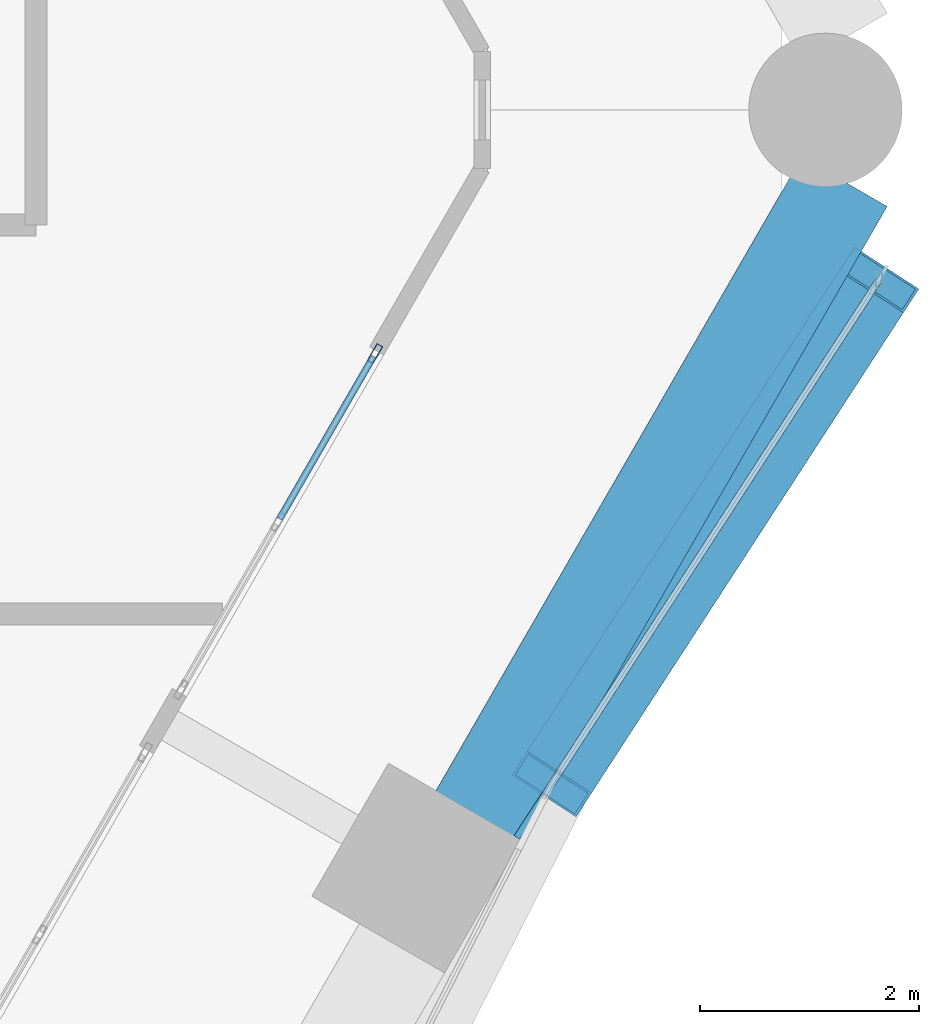
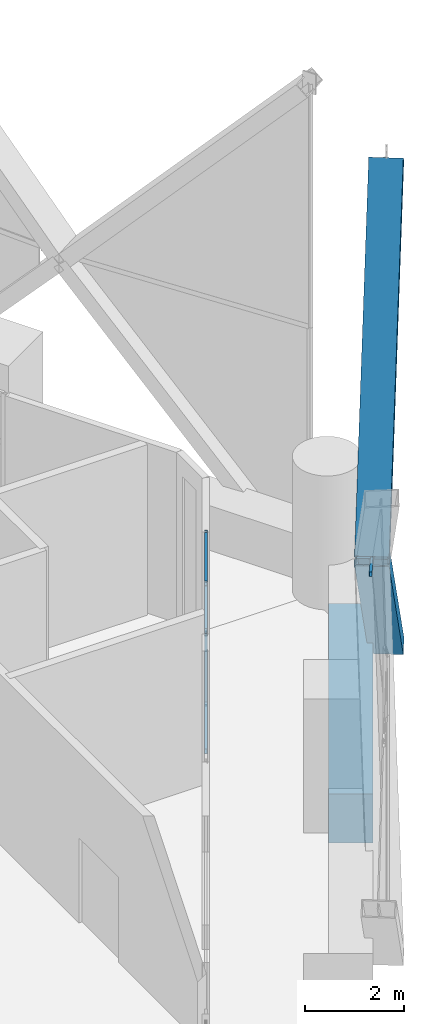
# One storey, part 21 of 46: 7 members, 1 beam, 2 elements without a shape of their own.
"""IFC4 building model written with IfcOpenShell, lengths in metres."""

from ifc_helpers import new_model, si_unit, direction, frame, origin, origin_2d, place, context, subcontext, project, spatial, rectangle, hollow_rectangle, extrude, material, material_profile, profile_set, type_object, element, aggregate, save


model = new_model("IFC4")

# Units and contexts
model_context = context("Model", 3, precision=1e-05, world=origin(), true_north=direction((0.0, 1.0)))
body_context = subcontext(model_context, "Body", "Model", "MODEL_VIEW")
ifc_project = project(units=[si_unit("LENGTHUNIT", "METRE"), si_unit("AREAUNIT", "SQUARE_METRE"), si_unit("VOLUMEUNIT", "CUBIC_METRE"), si_unit("PLANEANGLEUNIT", "RADIAN"), si_unit("MASSUNIT", "GRAM", prefix="KILO")], contexts=[model_context])

# Site, building, storey
site_placement = place(None, origin())
site = spatial("IfcSite", under=ifc_project, at=site_placement, CompositionType="ELEMENT")
building_placement = place(site_placement, origin())
building = spatial("IfcBuilding", under=site, at=building_placement, Name="Ostrander Bayou Hotel Tower", CompositionType="ELEMENT")
storey_placement = place(building_placement, frame((0.0, 0.0, 23.5)))
storey = spatial("IfcBuildingStorey", under=building, at=storey_placement, Name="L05", CompositionType="ELEMENT", Elevation=23.5)

# Curtain wall, member
ifc_material_1 = material(Name="Aluminium and clear glass", Category="aluminium")
curtain_wall_type_1 = type_object("IfcCurtainWallType", Name="CW-LAT lattice glazing", PredefinedType="NOTDEFINED", material=ifc_material_1)
curtain_wall_1_placement = place(storey_placement, origin())
curtain_wall_1 = element("IfcCurtainWall", 1, at=curtain_wall_1_placement, inside=storey, type_object=curtain_wall_type_1, Name="CW-LAT L05 SE 2", PredefinedType="NOTDEFINED")
ifc_material_2 = material(Name="Aluminium", Category="aluminium")
ifc_material_profile_1 = material_profile(ifc_material_2, hollow_rectangle(XDim=0.06005859375, YDim=0.1201171875, WallThickness=0.00390625, at=origin_2d()))
ifc_profile_set_1 = profile_set([ifc_material_profile_1], Name="Aluminium")
member_type_1 = type_object("IfcMemberType", Name="CW-LA transom 60 x 120 mm", PredefinedType="USERDEFINED", material=ifc_profile_set_1)
member_1_placement = place(storey_placement, frame((24.58837890625, -1.551513671875, 5.39990234375), z_axis=(-0.544652890505, -0.838661569922, 0.0), x_axis=(0.838661569922, -0.544652890505, 0.0)))
member_1 = element("IfcMember", 2, at=member_1_placement, type_object=member_type_1, Name="CW-LAT transom 10", ObjectType="TRANSOM", PredefinedType="USERDEFINED", context=body_context, shape_type="SweptSolid", body=[
    extrude(hollow_rectangle(XDim=0.06005859375, YDim=0.1201171875, WallThickness=0.00390625, at=origin_2d()), origin(), (0.0, 0.0, 1.0), 6.0634765625),
])
aggregate(curtain_wall_1, [member_1])

# Curtain wall, members
ifc_material_3 = material(Name="Aluminium and clear glass", Category="aluminium")
curtain_wall_type_2 = type_object("IfcCurtainWallType", Name="CW-SKY amenity glass wall", PredefinedType="NOTDEFINED", material=ifc_material_3)
curtain_wall_2_placement = place(storey_placement, origin())
curtain_wall_2 = element("IfcCurtainWall", 3, at=curtain_wall_2_placement, inside=storey, type_object=curtain_wall_type_2, Name="CW-SKY L05 SE 4", PredefinedType="NOTDEFINED")
ifc_material_4 = material(Name="Aluminium", Category="aluminium")
ifc_material_profile_2 = material_profile(ifc_material_4, hollow_rectangle(XDim=0.06005859375, YDim=0.179931640625, WallThickness=0.00390625, at=origin_2d()))
ifc_profile_set_2 = profile_set([ifc_material_profile_2], Name="Aluminium")
member_type_2 = type_object("IfcMemberType", Name="CW-SK mullion 60 x 180 mm", PredefinedType="MULLION", material=ifc_profile_set_2)
member_2_placement = place(storey_placement, frame((19.991455078125, -2.2236328125, 0.0), z_axis=(0.0, 0.0, 1.0), x_axis=(-0.866025997283, 0.499998972029, 0.0)))
member_2 = element("IfcMember", 4, at=member_2_placement, type_object=member_type_2, Name="CW-SKY mullion 3", PredefinedType="MULLION", context=body_context, shape_type="SweptSolid", body=[
    extrude(hollow_rectangle(XDim=0.06005859375, YDim=0.179931640625, WallThickness=0.00390625, at=origin_2d()), origin(), (0.0, 0.0, 1.0), 4.199951171875),
])
ifc_material_5 = material(Name="Aluminium", Category="aluminium")
ifc_material_profile_3 = material_profile(ifc_material_5, hollow_rectangle(XDim=0.06005859375, YDim=0.1201171875, WallThickness=0.00390625, at=origin_2d()))
ifc_profile_set_3 = profile_set([ifc_material_profile_3], Name="Aluminium")
member_type_3 = type_object("IfcMemberType", Name="CW-SK transom 60 x 120 mm", PredefinedType="USERDEFINED", material=ifc_profile_set_3)
member_3_placement = place(storey_placement, frame((19.12158203125, -3.73046875, 0.030029296875), z_axis=(0.500039688951, 0.866002488145, 0.0), x_axis=(-0.866002488145, 0.500039688951, 0.0)))
member_3 = element("IfcMember", 5, at=member_3_placement, type_object=member_type_3, Name="CW-SKY transom 2.1", ObjectType="TRANSOM", PredefinedType="USERDEFINED", context=body_context, shape_type="SweptSolid", body=[
    extrude(hollow_rectangle(XDim=0.06005859375, YDim=0.1201171875, WallThickness=0.00390625, at=origin_2d()), origin(), (0.0, 0.0, 1.0), 1.709716796875),
])
member_4_placement = place(storey_placement, frame((19.12158203125, -3.73046875, 3.0), z_axis=(0.500039688951, 0.866002488145, 0.0), x_axis=(-0.866002488145, 0.500039688951, 0.0)))
member_4 = element("IfcMember", 6, at=member_4_placement, type_object=member_type_3, Name="CW-SKY transom 2.2", ObjectType="TRANSOM", PredefinedType="USERDEFINED", context=body_context, shape_type="SweptSolid", body=[
    extrude(hollow_rectangle(XDim=0.06005859375, YDim=0.1201171875, WallThickness=0.00390625, at=origin_2d()), origin(), (0.0, 0.0, 1.0), 1.709716796875),
])
member_5_placement = place(storey_placement, frame((19.12158203125, -3.73046875, 4.169921875), z_axis=(0.500039688951, 0.866002488145, 0.0), x_axis=(-0.866002488145, 0.500039688951, 0.0)))
member_5 = element("IfcMember", 7, at=member_5_placement, type_object=member_type_3, Name="CW-SKY transom 2.3", ObjectType="TRANSOM", PredefinedType="USERDEFINED", context=body_context, shape_type="SweptSolid", body=[
    extrude(hollow_rectangle(XDim=0.06005859375, YDim=0.1201171875, WallThickness=0.00390625, at=origin_2d()), origin(), (0.0, 0.0, 1.0), 1.709716796875),
])
aggregate(curtain_wall_2, [member_2, member_3, member_4, member_5])

# Members
ifc_material_6 = material(Name="Steel ASTM A572 Gr 50", Category="steel")
ifc_material_profile_4 = material_profile(ifc_material_6, hollow_rectangle(XDim=0.699951171875, YDim=0.35009765625, WallThickness=0.02490234375, at=origin_2d()))
ifc_profile_set_4 = profile_set([ifc_material_profile_4], Name="Steel ASTM A572 Gr 50")
member_type_4 = type_object("IfcMemberType", Name="LT1 lattice member box 700 x 350 x 25 mm", PredefinedType="BRACE", material=ifc_profile_set_4)
for number, where, z_axis, x_axis, name in (
    (8, (21.602294921875, -6.14990234375, 5.39990234375), (0.367389353797, 0.565757377056, -0.738202989037), (-0.838682608864, 0.544620493178, 0.0), "LT1 L05 SE 7"),
    (9, (21.602294921875, -6.14990234375, 5.39990234375), (0.367389353797, 0.565757377056, 0.738202989037), (-0.838682608864, 0.544620493178, 0.0), "LT1 L05 SE 8"),
):
    element("IfcMember", number, at=place(storey_placement, frame(where, z_axis=z_axis, x_axis=x_axis)), inside=storey, type_object=member_type_4, Name=name, PredefinedType="BRACE", context=body_context, shape_type="SweptSolid", body=[
        extrude(hollow_rectangle(XDim=0.699951171875, YDim=0.35009765625, WallThickness=0.02490234375, at=origin_2d()), origin(), (0.0, 0.0, 1.0), 8.1279296875),
    ])

# Beam
ifc_material_7 = material(Name="Concrete f'c 70 MPa", Category="concrete")
ifc_material_profile_5 = material_profile(ifc_material_7, rectangle(XDim=0.89990234375, YDim=1.199951171875, at=origin_2d()))
ifc_profile_set_5 = profile_set([ifc_material_profile_5], Name="Concrete f'c 70 MPa")
beam_type = type_object("IfcBeamType", Name="SP1 spandrel beam 900 x 1200 mm f'c 70 MPa", PredefinedType="SPANDREL", material=ifc_profile_set_5)
beam_placement = place(storey_placement, frame((20.92236328125, -6.46142578125, -0.60009765625), z_axis=(0.500005133765, 0.866022439784, 0.0), x_axis=(-0.866022439784, 0.500005133765, 0.0)))
element("IfcBeam", 10, at=beam_placement, inside=storey, type_object=beam_type, Name="SP1 L05 SE-3", PredefinedType="SPANDREL", context=body_context, shape_type="SweptSolid", body=[
    extrude(rectangle(XDim=0.89990234375, YDim=1.199951171875, at=origin_2d()), origin(), (0.0, 0.0, 1.0), 6.70361328125),
])

save(model, "model.ifc")
